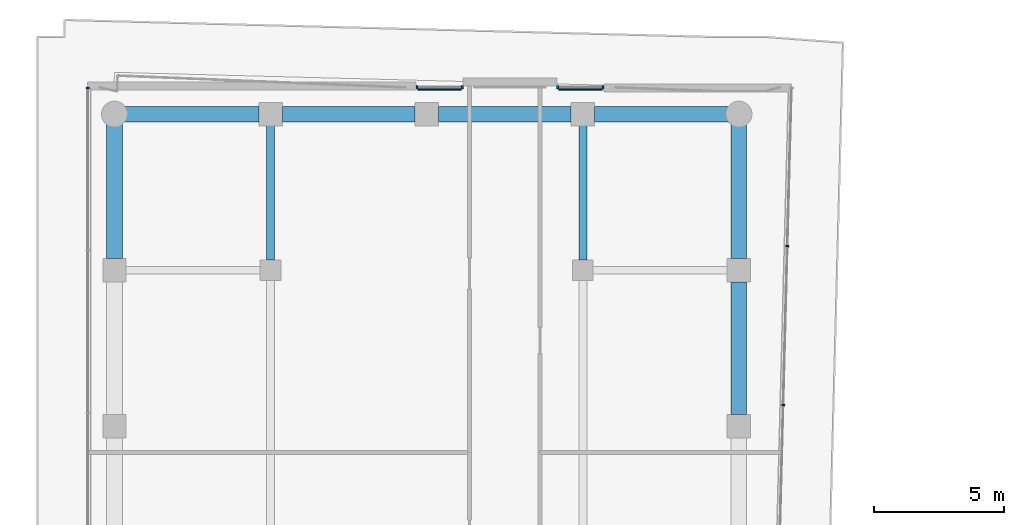
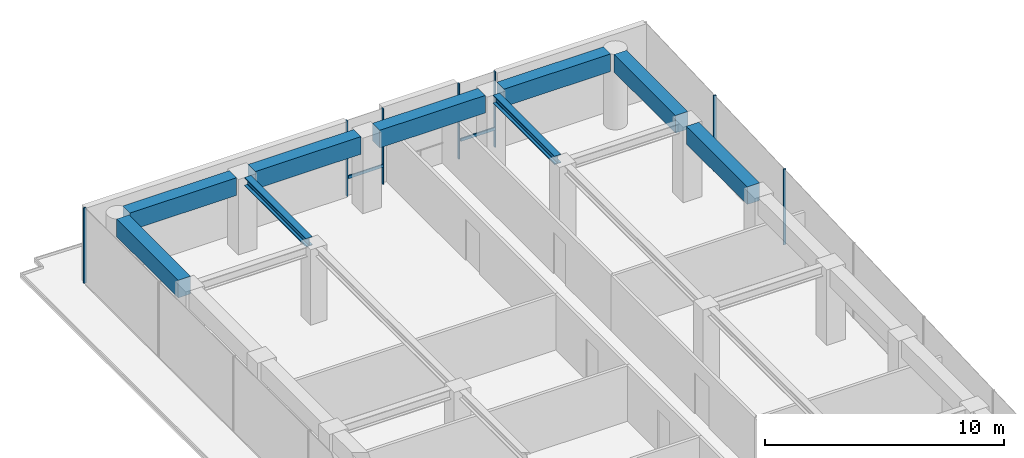
# One storey, part 15 of 23: 9 beams, 9 members, 4 elements without a shape of their own.
"""IFC4 building model written with IfcOpenShell, lengths in metres."""

from ifc_helpers import new_model, si_unit, direction, frame, origin, origin_2d, place, context, subcontext, project, spatial, rectangle, i_section, extrude, material, layer, layer_set, material_profile, profile_set, type_object, element, aggregate, save


model = new_model("IFC4")

# Units and contexts
model_context = context("Model", 3, precision=1e-05, world=origin(), true_north=direction((0.0, 1.0)))
body_context = subcontext(model_context, "Body", "Model", "MODEL_VIEW")
ifc_project = project(units=[si_unit("LENGTHUNIT", "METRE"), si_unit("AREAUNIT", "SQUARE_METRE"), si_unit("VOLUMEUNIT", "CUBIC_METRE"), si_unit("PLANEANGLEUNIT", "RADIAN"), si_unit("MASSUNIT", "GRAM", prefix="KILO")], contexts=[model_context])

# Site, building, storey
site_placement = place(None, origin())
site = spatial("IfcSite", under=ifc_project, at=site_placement, CompositionType="ELEMENT")
building_placement = place(site_placement, origin())
building = spatial("IfcBuilding", under=site, at=building_placement, Name="Welwitschia Terrace Campus", CompositionType="ELEMENT")
storey_placement = place(building_placement, frame((0.0, 0.0, 117.199951171875)))
storey = spatial("IfcBuildingStorey", under=building, at=storey_placement, Name="L26", CompositionType="ELEMENT", Elevation=117.199951171875)

# Beams
ifc_material_1 = material(Name="Steel S355", Category="steel")
ifc_material_profile_1 = material_profile(ifc_material_1, i_section(OverallWidth=0.306884765625, OverallDepth=0.431884765625, WebThickness=0.02099609375, FlangeThickness=0.0400390625, FilletRadius=0.027099609375, at=origin_2d()))
ifc_profile_set_1 = profile_set([ifc_material_profile_1], Name="Steel S355")
beam_type_1 = type_object("IfcBeamType", Name="Interior girder HE 400 M", PredefinedType="BEAM", material=ifc_profile_set_1)
for number, where, z_axis, x_axis, name in (
    (1, (6.0, 64.400390625, 3.634033203125), (0.0, 1.0, 0.0), (-1.0, 0.0, 0.0), "Girder GB3"),
    (2, (18.0, 64.400390625, 3.634033203125), (0.0, 1.0, 0.0), (-1.0, 0.0, 0.0), "Girder GB3"),
):
    element("IfcBeam", number, at=place(storey_placement, frame(where, z_axis=z_axis, x_axis=x_axis)), inside=storey, type_object=beam_type_1, Name=name, PredefinedType="BEAM", context=body_context, shape_type="SweptSolid", body=[
        extrude(i_section(OverallWidth=0.306884765625, OverallDepth=0.431884765625, WebThickness=0.02099609375, FlangeThickness=0.0400390625, FilletRadius=0.027099609375, at=origin_2d()), origin(), (0.0, 0.0, 1.0), 5.1591796875),
    ])

# Curtain wall, members
ifc_material_2 = material(Name="Bronze anodised aluminium", Category="aluminium")
ifc_layer = layer(ifc_material_2, 0.1201171875)
ifc_layer_set = layer_set([ifc_layer], Name="Bronze anodised aluminium")
curtain_wall_type = type_object("IfcCurtainWallType", Name="Curtain wall CW2 tower 6000", PredefinedType="NOTDEFINED", material=ifc_layer_set)
curtain_wall_1_placement = place(storey_placement, origin())
curtain_wall_1 = element("IfcCurtainWall", 3, at=curtain_wall_1_placement, inside=storey, type_object=curtain_wall_type, Name="CW L26.10.0", PredefinedType="NOTDEFINED")
ifc_material_3 = material(Name="Bronze anodised aluminium", Category="aluminium")
ifc_material_profile_2 = material_profile(ifc_material_3, rectangle(XDim=0.1201171875, YDim=0.06005859375, at=origin_2d()))
ifc_profile_set_2 = profile_set([ifc_material_profile_2], Name="Bronze anodised aluminium")
member_type_1 = type_object("IfcMemberType", Name="Mullion 60x120", PredefinedType="MULLION", material=ifc_profile_set_2)
member_1_placement = place(storey_placement, frame((25.7021484375, 58.818115234375, 0.0), z_axis=(0.0, 0.0, 1.0), x_axis=(-0.999657324976, 0.026176948308, 0.0)))
member_1 = element("IfcMember", 4, at=member_1_placement, type_object=member_type_1, Name="Mullion L26.10.0.4", PredefinedType="MULLION", context=body_context, shape_type="SweptSolid", body=[
    extrude(rectangle(XDim=0.1201171875, YDim=0.06005859375, at=origin_2d()), origin(), (0.0, 0.0, 1.0), 3.85009765625),
])
member_2_placement = place(storey_placement, frame((25.862060546875, 64.924072265625, 0.0), z_axis=(0.0, 0.0, 1.0), x_axis=(-0.999657324976, 0.026176948308, 0.0)))
member_2 = element("IfcMember", 5, at=member_2_placement, type_object=member_type_1, Name="Mullion L26.10.0.5", PredefinedType="MULLION", context=body_context, shape_type="SweptSolid", body=[
    extrude(rectangle(XDim=0.1201171875, YDim=0.06005859375, at=origin_2d()), origin(), (0.0, 0.0, 1.0), 3.85009765625),
])
aggregate(curtain_wall_1, [member_1, member_2])

curtain_wall_2_placement = place(storey_placement, origin())
curtain_wall_2 = element("IfcCurtainWall", 6, at=curtain_wall_2_placement, inside=storey, type_object=curtain_wall_type, Name="CW L26.11.S0", PredefinedType="NOTDEFINED")
member_3_placement = place(storey_placement, frame((18.7763671875, 71.030029296875, 0.0), z_axis=(0.0, 0.0, 1.0), x_axis=(0.0, -1.0, 0.0)))
member_3 = element("IfcMember", 7, at=member_3_placement, type_object=member_type_1, Name="Mullion L26.11.S0.0", PredefinedType="MULLION", context=body_context, shape_type="SweptSolid", body=[
    extrude(rectangle(XDim=0.1201171875, YDim=0.06005859375, at=origin_2d()), origin(), (0.0, 0.0, 1.0), 3.85009765625),
])
member_4_placement = place(storey_placement, frame((17.036376953125, 71.030029296875, 0.0), z_axis=(0.0, 0.0, 1.0), x_axis=(0.0, -1.0, 0.0)))
member_4 = element("IfcMember", 8, at=member_4_placement, type_object=member_type_1, Name="Mullion L26.11.S0.1", PredefinedType="MULLION", context=body_context, shape_type="SweptSolid", body=[
    extrude(rectangle(XDim=0.1201171875, YDim=0.06005859375, at=origin_2d()), origin(), (0.0, 0.0, 1.0), 3.85009765625),
])

curtain_wall_3_placement = place(storey_placement, origin())
curtain_wall_3 = element("IfcCurtainWall", 9, at=curtain_wall_3_placement, inside=storey, type_object=curtain_wall_type, Name="CW L26.11.S1", PredefinedType="NOTDEFINED")
member_5_placement = place(storey_placement, frame((13.365966796875, 71.030029296875, 0.0), z_axis=(0.0, 0.0, 1.0), x_axis=(0.0, -1.0, 0.0)))
member_5 = element("IfcMember", 10, at=member_5_placement, type_object=member_type_1, Name="Mullion L26.11.S1.0", PredefinedType="MULLION", context=body_context, shape_type="SweptSolid", body=[
    extrude(rectangle(XDim=0.1201171875, YDim=0.06005859375, at=origin_2d()), origin(), (0.0, 0.0, 1.0), 3.85009765625),
])
member_6_placement = place(storey_placement, frame((11.6259765625, 71.030029296875, 0.0), z_axis=(0.0, 0.0, 1.0), x_axis=(0.0, -1.0, 0.0)))
member_6 = element("IfcMember", 11, at=member_6_placement, type_object=member_type_1, Name="Mullion L26.11.S1.1", PredefinedType="MULLION", context=body_context, shape_type="SweptSolid", body=[
    extrude(rectangle(XDim=0.1201171875, YDim=0.06005859375, at=origin_2d()), origin(), (0.0, 0.0, 1.0), 3.85009765625),
])

# Curtain wall, member
curtain_wall_4_placement = place(storey_placement, origin())
curtain_wall_4 = element("IfcCurtainWall", 12, at=curtain_wall_4_placement, inside=storey, type_object=curtain_wall_type, Name="CW L26.12.0", PredefinedType="NOTDEFINED")
member_7_placement = place(storey_placement, frame((-1.030029296875, 71.0, 0.0), z_axis=(0.0, 0.0, 1.0), x_axis=(1.0, 0.0, 0.0)))
member_7 = element("IfcMember", 13, at=member_7_placement, type_object=member_type_1, Name="Mullion L26.12.0.0", PredefinedType="MULLION", context=body_context, shape_type="SweptSolid", body=[
    extrude(rectangle(XDim=0.1201171875, YDim=0.06005859375, at=origin_2d()), origin(), (0.0, 0.0, 1.0), 3.85009765625),
])
aggregate(curtain_wall_4, [member_7])

# Beams
ifc_material_4 = material(Name="Concrete C60/75", Category="concrete")
ifc_material_profile_3 = material_profile(ifc_material_4, rectangle(XDim=0.60009765625, YDim=0.89990234375, at=origin_2d()))
ifc_profile_set_3 = profile_set([ifc_material_profile_3], Name="Concrete C60/75")
beam_type_2 = type_object("IfcBeamType", Name="Ring spandrel 600x900", PredefinedType="SPANDREL", material=ifc_profile_set_3)
beam_placement = place(storey_placement, frame((24.0, 58.450439453125, 3.400146484375), z_axis=(0.0, 1.0, 0.0), x_axis=(-1.0, 0.0, 0.0)))
element("IfcBeam", 14, at=beam_placement, inside=storey, type_object=beam_type_2, Name="Spandrel SP2", PredefinedType="SPANDREL", context=body_context, shape_type="SweptSolid", body=[
    extrude(rectangle(XDim=0.60009765625, YDim=0.89990234375, at=origin_2d()), origin(), (0.0, 0.0, 1.0), 5.09912109375),
])
for number, where, z_axis, x_axis, name in (
    (15, (24.0, 64.450439453125, 3.400146484375), (0.0, 1.0, 0.0), (-1.0, 0.0, 0.0), "Spandrel SP2"),
    (16, (23.599609375, 70.0, 3.400146484375), (-1.0, 0.0, 0.0), (0.0, -1.0, 0.0), "Spandrel SP2"),
):
    element("IfcBeam", number, at=place(storey_placement, frame(where, z_axis=z_axis, x_axis=x_axis)), inside=storey, type_object=beam_type_2, Name=name, PredefinedType="SPANDREL", context=body_context, shape_type="SweptSolid", body=[
        extrude(rectangle(XDim=0.60009765625, YDim=0.89990234375, at=origin_2d()), origin(), (0.0, 0.0, 1.0), 5.149169921875),
    ])
for number, where, z_axis, x_axis, name in (
    (17, (17.549560546875, 70.0, 3.400146484375), (-1.0, 0.0, 0.0), (0.0, -1.0, 0.0), "Spandrel SP2"),
    (18, (11.549560546875, 70.0, 3.400146484375), (-1.0, 0.0, 0.0), (0.0, -1.0, 0.0), "Spandrel SP2"),
):
    element("IfcBeam", number, at=place(storey_placement, frame(where, z_axis=z_axis, x_axis=x_axis)), inside=storey, type_object=beam_type_2, Name=name, PredefinedType="SPANDREL", context=body_context, shape_type="SweptSolid", body=[
        extrude(rectangle(XDim=0.60009765625, YDim=0.89990234375, at=origin_2d()), origin(), (0.0, 0.0, 1.0), 5.09912109375),
    ])
for number, where, z_axis, x_axis, name in (
    (19, (5.549560546875, 70.0, 3.400146484375), (-1.0, 0.0, 0.0), (0.0, -1.0, 0.0), "Spandrel SP2"),
    (20, (0.0, 69.599609375, 3.400146484375), (0.0, -1.0, 0.0), (1.0, 0.0, 0.0), "Spandrel SP2"),
):
    element("IfcBeam", number, at=place(storey_placement, frame(where, z_axis=z_axis, x_axis=x_axis)), inside=storey, type_object=beam_type_2, Name=name, PredefinedType="SPANDREL", context=body_context, shape_type="SweptSolid", body=[
        extrude(rectangle(XDim=0.60009765625, YDim=0.89990234375, at=origin_2d()), origin(), (0.0, 0.0, 1.0), 5.149169921875),
    ])

# Member
ifc_material_5 = material(Name="Bronze anodised aluminium", Category="aluminium")
ifc_material_profile_4 = material_profile(ifc_material_5, rectangle(XDim=0.06005859375, YDim=0.14990234375, at=origin_2d()))
ifc_profile_set_4 = profile_set([ifc_material_profile_4], Name="Bronze anodised aluminium")
member_type_2 = type_object("IfcMemberType", Name="Transom 60x150", PredefinedType="USERDEFINED", material=ifc_profile_set_4)
member_8_placement = place(storey_placement, frame((18.746337890625, 70.93994140625, 1.0), z_axis=(-1.0, 0.0, 0.0), x_axis=(0.0, -1.0, 0.0)))
member_8 = element("IfcMember", 21, at=member_8_placement, type_object=member_type_2, Name="Transom L26.11.S0", ObjectType="TRANSOM", PredefinedType="USERDEFINED", context=body_context, shape_type="SweptSolid", body=[
    extrude(rectangle(XDim=0.06005859375, YDim=0.14990234375, at=origin_2d()), origin(), (0.0, 0.0, 1.0), 1.679931640625),
])

aggregate(curtain_wall_2, [member_3, member_4, member_8])

member_9_placement = place(storey_placement, frame((13.3359375, 70.93994140625, 1.0), z_axis=(-1.0, 0.0, 0.0), x_axis=(0.0, -1.0, 0.0)))
member_9 = element("IfcMember", 22, at=member_9_placement, type_object=member_type_2, Name="Transom L26.11.S1", ObjectType="TRANSOM", PredefinedType="USERDEFINED", context=body_context, shape_type="SweptSolid", body=[
    extrude(rectangle(XDim=0.06005859375, YDim=0.14990234375, at=origin_2d()), origin(), (0.0, 0.0, 1.0), 1.679931640625),
])

aggregate(curtain_wall_3, [member_5, member_6, member_9])

save(model, "model.ifc")
